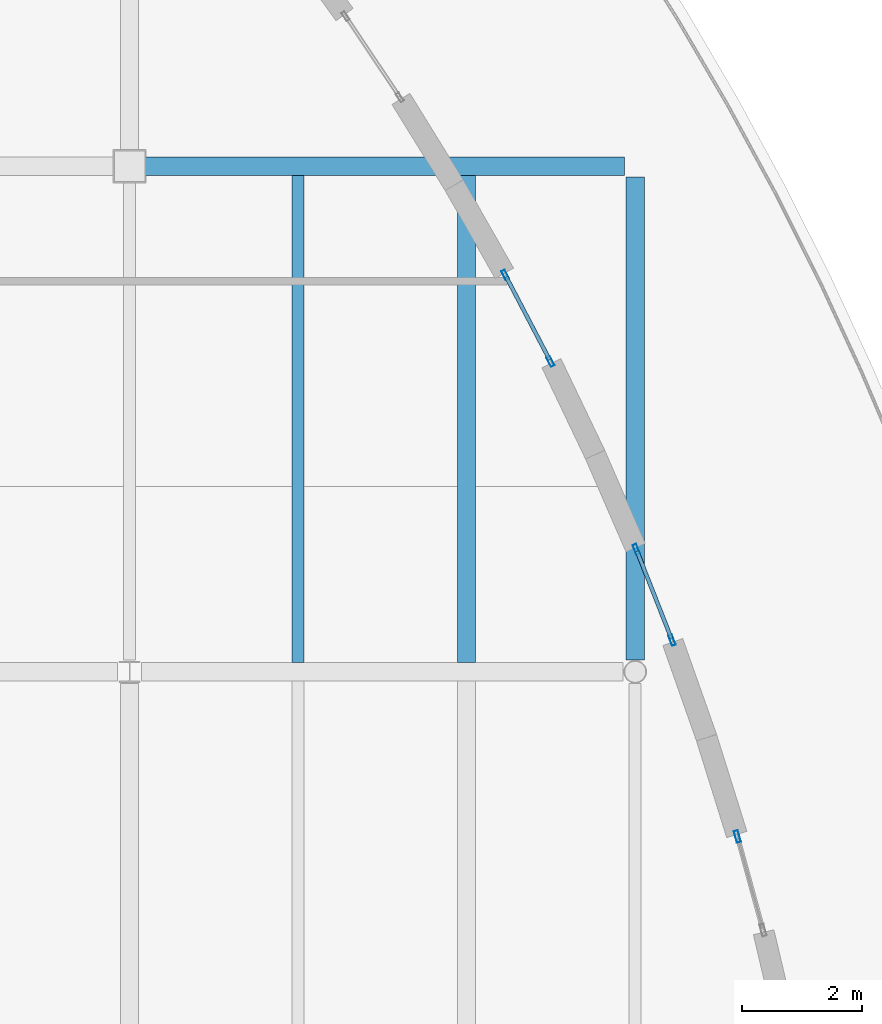
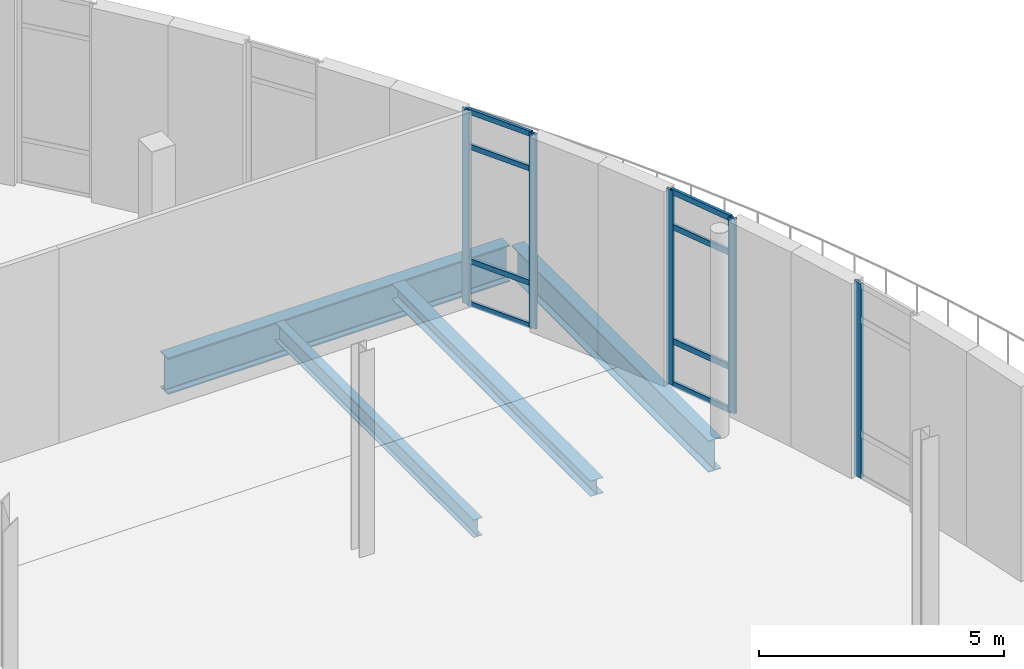
# One storey, part 50 of 103: 13 members, 4 beams, 3 elements without a shape of their own.
"""IFC4 building model written with IfcOpenShell, lengths in metres."""

from ifc_helpers import new_model, si_unit, direction, frame, origin, origin_2d, place, context, subcontext, project, spatial, hollow_rectangle, i_section, extrude, material, layer, layer_set, material_profile, profile_set, type_object, element, aggregate, save


model = new_model("IFC4")

# Units and contexts
model_context = context("Model", 3, precision=1e-05, world=origin(), true_north=direction((0.0, 1.0)))
body_context = subcontext(model_context, "Body", "Model", "MODEL_VIEW")
ifc_project = project(units=[si_unit("LENGTHUNIT", "METRE"), si_unit("AREAUNIT", "SQUARE_METRE"), si_unit("VOLUMEUNIT", "CUBIC_METRE"), si_unit("PLANEANGLEUNIT", "RADIAN"), si_unit("MASSUNIT", "GRAM", prefix="KILO"), si_unit("THERMODYNAMICTEMPERATUREUNIT", "KELVIN")], contexts=[model_context])

# Site, building, storey
site_placement = place(None, origin())
site = spatial("IfcSite", under=ifc_project, at=site_placement, CompositionType="ELEMENT")
building_placement = place(site_placement, origin())
building = spatial("IfcBuilding", under=site, at=building_placement, Name="Lustrewick Department Store", CompositionType="ELEMENT")
storey_placement = place(building_placement, frame((0.0, 0.0, 16.5)))
storey = spatial("IfcBuildingStorey", under=building, at=storey_placement, Name="L04", CompositionType="ELEMENT", Elevation=16.5)

# Beams
ifc_material_1 = material(Name="Structural steel Q355B", Category="steel")
ifc_material_profile_1 = material_profile(ifc_material_1, i_section(OverallWidth=0.199951171875, OverallDepth=0.449951171875, WebThickness=0.009033203125, FlangeThickness=0.013916015625, FilletRadius=0.01611328125, at=origin_2d()), Name="HN 450x200x9x14")
ifc_profile_set_1 = profile_set([ifc_material_profile_1], Name="Structural steel Q355B")
beam_type_1 = type_object("IfcBeamType", Name="B03", PredefinedType="JOIST", material=ifc_profile_set_1)
beam_1_placement = place(storey_placement, frame((154.0, 75.7509765625, -0.47998046875), z_axis=(0.0, 1.0, 0.0), x_axis=(-1.0, 0.0, 0.0)))
element("IfcBeam", 1, at=beam_1_placement, inside=storey, type_object=beam_type_1, Name="L04 V4 Secondary Joist B03", PredefinedType="JOIST", context=body_context, shape_type="SweptSolid", body=[
    extrude(i_section(OverallWidth=0.199951171875, OverallDepth=0.449951171875, WebThickness=0.009033203125, FlangeThickness=0.013916015625, FilletRadius=0.01611328125, at=origin_2d()), origin(), (0.0, 0.0, 1.0), 8.09814453125),
])
ifc_material_profile_2 = material_profile(ifc_material_1, i_section(OverallWidth=0.300048828125, OverallDepth=0.389892578125, WebThickness=0.010009765625, FlangeThickness=0.01611328125, FilletRadius=0.01806640625, at=origin_2d()), Name="HM 390x300x10x16")
ifc_profile_set_2 = profile_set([ifc_material_profile_2], Name="Structural steel Q355B")
beam_type_2 = type_object("IfcBeamType", Name="B07", PredefinedType="JOIST", material=ifc_profile_set_2)
beam_2_placement = place(storey_placement, frame((156.800048828125, 75.7509765625, -0.449951171875), z_axis=(0.0, 1.0, 0.0), x_axis=(-1.0, 0.0, 0.0)))
element("IfcBeam", 2, at=beam_2_placement, inside=storey, type_object=beam_type_2, Name="L04 V4 Secondary Joist B07", PredefinedType="JOIST", context=body_context, shape_type="SweptSolid", body=[
    extrude(i_section(OverallWidth=0.300048828125, OverallDepth=0.389892578125, WebThickness=0.010009765625, FlangeThickness=0.01611328125, FilletRadius=0.01806640625, at=origin_2d()), origin(), (0.0, 0.0, 1.0), 8.09814453125),
])

# Curtain wall, member
ifc_material_2 = material(Name="Thermally broken aluminium 6063-T5", Category="aluminium")
ifc_layer_1 = layer(ifc_material_2, 0.199951171875, Name="Thermally broken aluminium 6063-T5")
ifc_layer_set_1 = layer_set([ifc_layer_1], Name="Thermally broken aluminium 6063-T5")
curtain_wall_type_1 = type_object("IfcCurtainWallType", Name="CW01", PredefinedType="NOTDEFINED", material=ifc_layer_set_1)
curtain_wall_1_placement = place(storey_placement, origin())
curtain_wall_1 = element("IfcCurtainWall", 3, at=curtain_wall_1_placement, inside=storey, type_object=curtain_wall_type_1, Name="L04 V4 Curtain Wall CW01", PredefinedType="NOTDEFINED")
ifc_material_profile_3 = material_profile(ifc_material_2, hollow_rectangle(XDim=0.070068359375, YDim=0.199951171875, WallThickness=0.00390625, at=origin_2d()), Name="ALU-M 70x200x4")
ifc_profile_set_3 = profile_set([ifc_material_profile_3], Name="Thermally broken aluminium 6063-T5")
member_type_1 = type_object("IfcMemberType", Name="CW01-M1", PredefinedType="MULLION", material=ifc_profile_set_3)
member_1_placement = place(storey_placement, frame((161.29736328125, 72.864013671875, 0.0), z_axis=(0.0, 0.0, 1.0), x_axis=(-0.964379303747, -0.264523266472, 0.0)))
member_1 = element("IfcMember", 4, at=member_1_placement, type_object=member_type_1, Name="CW01 mullion 2", PredefinedType="MULLION", context=body_context, shape_type="SweptSolid", body=[
    extrude(hollow_rectangle(XDim=0.070068359375, YDim=0.199951171875, WallThickness=0.00390625, at=origin_2d()), origin(), (0.0, 0.0, 1.0), 4.844970703125),
])
aggregate(curtain_wall_1, [member_1])

# Curtain wall, members
ifc_layer_2 = layer(ifc_material_2, 0.179931640625, Name="Thermally broken aluminium 6063-T5")
ifc_layer_set_2 = layer_set([ifc_layer_2], Name="Thermally broken aluminium 6063-T5")
curtain_wall_type_2 = type_object("IfcCurtainWallType", Name="CW02", PredefinedType="NOTDEFINED", material=ifc_layer_set_2)
curtain_wall_2_placement = place(storey_placement, origin())
curtain_wall_2 = element("IfcCurtainWall", 5, at=curtain_wall_2_placement, inside=storey, type_object=curtain_wall_type_2, Name="L04 V4 Curtain Wall CW02", PredefinedType="NOTDEFINED")
ifc_material_profile_4 = material_profile(ifc_material_2, hollow_rectangle(XDim=0.06494140625, YDim=0.179931640625, WallThickness=0.00390625, at=origin_2d()), Name="ALU-M 65x180x4")
ifc_profile_set_4 = profile_set([ifc_material_profile_4], Name="Thermally broken aluminium 6063-T5")
member_type_2 = type_object("IfcMemberType", Name="CW02-M1", PredefinedType="MULLION", material=ifc_profile_set_4)
member_2_placement = place(storey_placement, frame((160.212158203125, 76.125, 0.0), z_axis=(0.0, 0.0, 1.0), x_axis=(-0.930569597857, -0.366115041407, 0.0)))
member_2 = element("IfcMember", 6, at=member_2_placement, type_object=member_type_2, Name="CW02 mullion 1", PredefinedType="MULLION", context=body_context, shape_type="SweptSolid", body=[
    extrude(hollow_rectangle(XDim=0.06494140625, YDim=0.179931640625, WallThickness=0.00390625, at=origin_2d()), origin(), (0.0, 0.0, 1.0), 4.844970703125),
])
member_3_placement = place(storey_placement, frame((159.618896484375, 77.632568359375, 0.0), z_axis=(0.0, 0.0, 1.0), x_axis=(-0.930569597857, -0.366115041407, 0.0)))
member_3 = element("IfcMember", 7, at=member_3_placement, type_object=member_type_2, Name="CW02 mullion 2", PredefinedType="MULLION", context=body_context, shape_type="SweptSolid", body=[
    extrude(hollow_rectangle(XDim=0.06494140625, YDim=0.179931640625, WallThickness=0.00390625, at=origin_2d()), origin(), (0.0, 0.0, 1.0), 4.844970703125),
])
ifc_material_profile_5 = material_profile(ifc_material_2, hollow_rectangle(XDim=0.06494140625, YDim=0.139892578125, WallThickness=0.00341796875, at=origin_2d()), Name="ALU-T 65x140x3.5")
ifc_profile_set_5 = profile_set([ifc_material_profile_5], Name="Thermally broken aluminium 6063-T5")
member_type_3 = type_object("IfcMemberType", Name="CW02-T1", PredefinedType="USERDEFINED", material=ifc_profile_set_5)
member_4_placement = place(storey_placement, frame((160.2001953125, 76.1552734375, 0.032470703125), z_axis=(-0.366133224129, 0.930562444003, 0.0), x_axis=(-0.930562444003, -0.366133224129, 0.0)))
member_4 = element("IfcMember", 8, at=member_4_placement, type_object=member_type_3, Name="CW02 transom 1.1", ObjectType="TRANSOM", PredefinedType="USERDEFINED", context=body_context, shape_type="SweptSolid", body=[
    extrude(hollow_rectangle(XDim=0.06494140625, YDim=0.139892578125, WallThickness=0.00341796875, at=origin_2d()), origin(), (0.0, 0.0, 1.0), 1.554931640625),
])
member_5_placement = place(storey_placement, frame((160.2001953125, 76.1552734375, 1.10009765625), z_axis=(-0.366133224129, 0.930562444003, 0.0), x_axis=(-0.930562444003, -0.366133224129, 0.0)))
member_5 = element("IfcMember", 9, at=member_5_placement, type_object=member_type_3, Name="CW02 transom 1.2", ObjectType="TRANSOM", PredefinedType="USERDEFINED", context=body_context, shape_type="SweptSolid", body=[
    extrude(hollow_rectangle(XDim=0.06494140625, YDim=0.139892578125, WallThickness=0.00341796875, at=origin_2d()), origin(), (0.0, 0.0, 1.0), 1.554931640625),
])
member_6_placement = place(storey_placement, frame((160.2001953125, 76.1552734375, 3.945068359375), z_axis=(-0.366133224129, 0.930562444003, 0.0), x_axis=(-0.930562444003, -0.366133224129, 0.0)))
member_6 = element("IfcMember", 10, at=member_6_placement, type_object=member_type_3, Name="CW02 transom 1.3", ObjectType="TRANSOM", PredefinedType="USERDEFINED", context=body_context, shape_type="SweptSolid", body=[
    extrude(hollow_rectangle(XDim=0.06494140625, YDim=0.139892578125, WallThickness=0.00341796875, at=origin_2d()), origin(), (0.0, 0.0, 1.0), 1.554931640625),
])
member_7_placement = place(storey_placement, frame((160.2001953125, 76.1552734375, 4.8125), z_axis=(-0.366133224129, 0.930562444003, 0.0), x_axis=(-0.930562444003, -0.366133224129, 0.0)))
member_7 = element("IfcMember", 11, at=member_7_placement, type_object=member_type_3, Name="CW02 transom 1.4", ObjectType="TRANSOM", PredefinedType="USERDEFINED", context=body_context, shape_type="SweptSolid", body=[
    extrude(hollow_rectangle(XDim=0.06494140625, YDim=0.139892578125, WallThickness=0.00341796875, at=origin_2d()), origin(), (0.0, 0.0, 1.0), 1.554931640625),
])
aggregate(curtain_wall_2, [member_2, member_3, member_4, member_5, member_6, member_7])

ifc_layer_3 = layer(ifc_material_2, 0.169921875, Name="Thermally broken aluminium 6063-T5")
ifc_layer_set_3 = layer_set([ifc_layer_3], Name="Thermally broken aluminium 6063-T5")
curtain_wall_type_3 = type_object("IfcCurtainWallType", Name="CW03", PredefinedType="NOTDEFINED", material=ifc_layer_set_3)
curtain_wall_3_placement = place(storey_placement, origin())
curtain_wall_3 = element("IfcCurtainWall", 12, at=curtain_wall_3_placement, inside=storey, type_object=curtain_wall_type_3, Name="L04 V4 Curtain Wall CW03", PredefinedType="NOTDEFINED")
ifc_material_profile_6 = material_profile(ifc_material_2, hollow_rectangle(XDim=0.06494140625, YDim=0.169921875, WallThickness=0.00390625, at=origin_2d()), Name="ALU-M 65x170x4")
ifc_profile_set_6 = profile_set([ifc_material_profile_6], Name="Thermally broken aluminium 6063-T5")
member_type_4 = type_object("IfcMemberType", Name="CW03-M1", PredefinedType="MULLION", material=ifc_profile_set_6)
member_8_placement = place(storey_placement, frame((158.1923828125, 80.75634765625, 0.0), z_axis=(0.0, 0.0, 1.0), x_axis=(-0.88609971273, -0.463494659192, 0.0)))
member_8 = element("IfcMember", 13, at=member_8_placement, type_object=member_type_4, Name="CW03 mullion 1", PredefinedType="MULLION", context=body_context, shape_type="SweptSolid", body=[
    extrude(hollow_rectangle(XDim=0.06494140625, YDim=0.169921875, WallThickness=0.00390625, at=origin_2d()), origin(), (0.0, 0.0, 1.0), 4.844970703125),
])
member_9_placement = place(storey_placement, frame((157.44140625, 82.19189453125, 0.0), z_axis=(0.0, 0.0, 1.0), x_axis=(-0.88609971273, -0.463494659192, 0.0)))
member_9 = element("IfcMember", 14, at=member_9_placement, type_object=member_type_4, Name="CW03 mullion 2", PredefinedType="MULLION", context=body_context, shape_type="SweptSolid", body=[
    extrude(hollow_rectangle(XDim=0.06494140625, YDim=0.169921875, WallThickness=0.00390625, at=origin_2d()), origin(), (0.0, 0.0, 1.0), 4.844970703125),
])
ifc_material_profile_7 = material_profile(ifc_material_2, hollow_rectangle(XDim=0.06494140625, YDim=0.1298828125, WallThickness=0.00341796875, at=origin_2d()), Name="ALU-T 65x130x3.5")
ifc_profile_set_7 = profile_set([ifc_material_profile_7], Name="Thermally broken aluminium 6063-T5")
member_type_5 = type_object("IfcMemberType", Name="CW03-T1", PredefinedType="USERDEFINED", material=ifc_profile_set_7)
member_10_placement = place(storey_placement, frame((158.17724609375, 80.78515625, 0.032470703125), z_axis=(-0.463467182418, 0.886114084541, 0.0), x_axis=(-0.886114084541, -0.463467182418, 0.0)))
member_10 = element("IfcMember", 15, at=member_10_placement, type_object=member_type_5, Name="CW03 transom 1.1", ObjectType="TRANSOM", PredefinedType="USERDEFINED", context=body_context, shape_type="SweptSolid", body=[
    extrude(hollow_rectangle(XDim=0.06494140625, YDim=0.1298828125, WallThickness=0.00341796875, at=origin_2d()), origin(), (0.0, 0.0, 1.0), 1.554931640625),
])
member_11_placement = place(storey_placement, frame((158.17724609375, 80.78515625, 1.10009765625), z_axis=(-0.463467182418, 0.886114084541, 0.0), x_axis=(-0.886114084541, -0.463467182418, 0.0)))
member_11 = element("IfcMember", 16, at=member_11_placement, type_object=member_type_5, Name="CW03 transom 1.2", ObjectType="TRANSOM", PredefinedType="USERDEFINED", context=body_context, shape_type="SweptSolid", body=[
    extrude(hollow_rectangle(XDim=0.06494140625, YDim=0.1298828125, WallThickness=0.00341796875, at=origin_2d()), origin(), (0.0, 0.0, 1.0), 1.554931640625),
])
member_12_placement = place(storey_placement, frame((158.17724609375, 80.78515625, 3.945068359375), z_axis=(-0.463467182418, 0.886114084541, 0.0), x_axis=(-0.886114084541, -0.463467182418, 0.0)))
member_12 = element("IfcMember", 17, at=member_12_placement, type_object=member_type_5, Name="CW03 transom 1.3", ObjectType="TRANSOM", PredefinedType="USERDEFINED", context=body_context, shape_type="SweptSolid", body=[
    extrude(hollow_rectangle(XDim=0.06494140625, YDim=0.1298828125, WallThickness=0.00341796875, at=origin_2d()), origin(), (0.0, 0.0, 1.0), 1.554931640625),
])
member_13_placement = place(storey_placement, frame((158.17724609375, 80.78515625, 4.8125), z_axis=(-0.463467182418, 0.886114084541, 0.0), x_axis=(-0.886114084541, -0.463467182418, 0.0)))
member_13 = element("IfcMember", 18, at=member_13_placement, type_object=member_type_5, Name="CW03 transom 1.4", ObjectType="TRANSOM", PredefinedType="USERDEFINED", context=body_context, shape_type="SweptSolid", body=[
    extrude(hollow_rectangle(XDim=0.06494140625, YDim=0.1298828125, WallThickness=0.00341796875, at=origin_2d()), origin(), (0.0, 0.0, 1.0), 1.554931640625),
])
aggregate(curtain_wall_3, [member_8, member_9, member_10, member_11, member_12, member_13])

# Beams
ifc_material_3 = material(Name="Structural steel Q355C", Category="steel")
ifc_material_profile_8 = material_profile(ifc_material_3, i_section(OverallWidth=0.302001953125, OverallDepth=0.912109375, WebThickness=0.01806640625, FlangeThickness=0.033935546875, FilletRadius=0.02392578125, at=origin_2d()), Name="HN 912x302x18x34")
ifc_profile_set_8 = profile_set([ifc_material_profile_8], Name="Structural steel Q355C")
beam_type_3 = type_object("IfcBeamType", Name="G01", PredefinedType="BEAM", material=ifc_profile_set_8)
beam_3_placement = place(storey_placement, frame((151.375, 84.0, -0.7109375), z_axis=(1.0, 0.0, 0.0), x_axis=(0.0, 1.0, 0.0)))
element("IfcBeam", 19, at=beam_3_placement, inside=storey, type_object=beam_type_3, Name="L04 V4 Girder G01", PredefinedType="BEAM", context=body_context, shape_type="SweptSolid", body=[
    extrude(i_section(OverallWidth=0.302001953125, OverallDepth=0.912109375, WebThickness=0.01806640625, FlangeThickness=0.033935546875, FilletRadius=0.02392578125, at=origin_2d()), origin(), (0.0, 0.0, 1.0), 8.050048828125),
])
ifc_material_profile_9 = material_profile(ifc_material_1, i_section(OverallWidth=0.300048828125, OverallDepth=0.7919921875, WebThickness=0.013916015625, FlangeThickness=0.02197265625, FilletRadius=0.02197265625, at=origin_2d()), Name="HN 792x300x14x22")
ifc_profile_set_9 = profile_set([ifc_material_profile_9], Name="Structural steel Q355B")
beam_type_4 = type_object("IfcBeamType", Name="G06", PredefinedType="BEAM", material=ifc_profile_set_9)
beam_4_placement = place(storey_placement, frame((159.60009765625, 75.7939453125, -0.65087890625), z_axis=(0.0, 1.0, 0.0), x_axis=(-1.0, 0.0, 0.0)))
element("IfcBeam", 20, at=beam_4_placement, inside=storey, type_object=beam_type_4, Name="L04 V4 Girder G06", PredefinedType="BEAM", context=body_context, shape_type="SweptSolid", body=[
    extrude(i_section(OverallWidth=0.300048828125, OverallDepth=0.7919921875, WebThickness=0.013916015625, FlangeThickness=0.02197265625, FilletRadius=0.02197265625, at=origin_2d()), origin(), (0.0, 0.0, 1.0), 8.031005859375),
])

save(model, "model.ifc")
